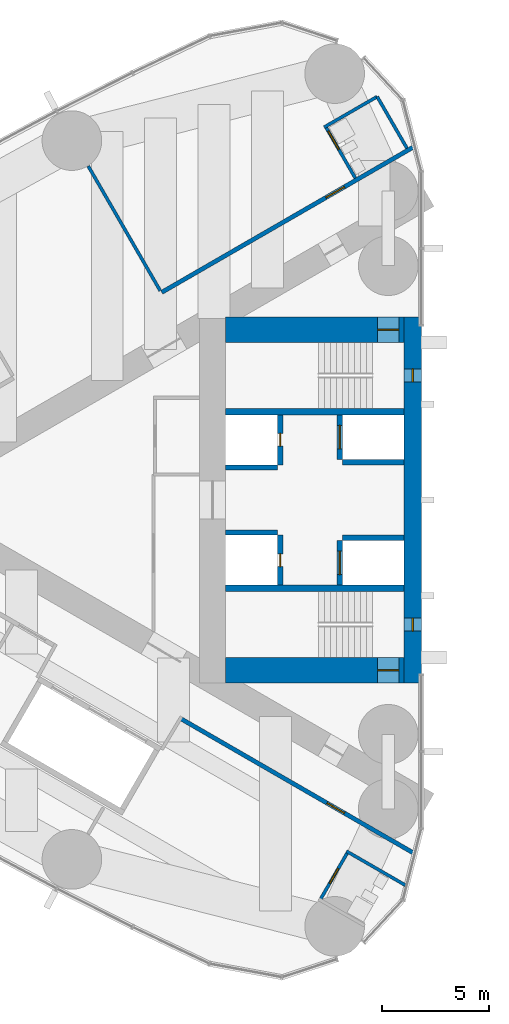
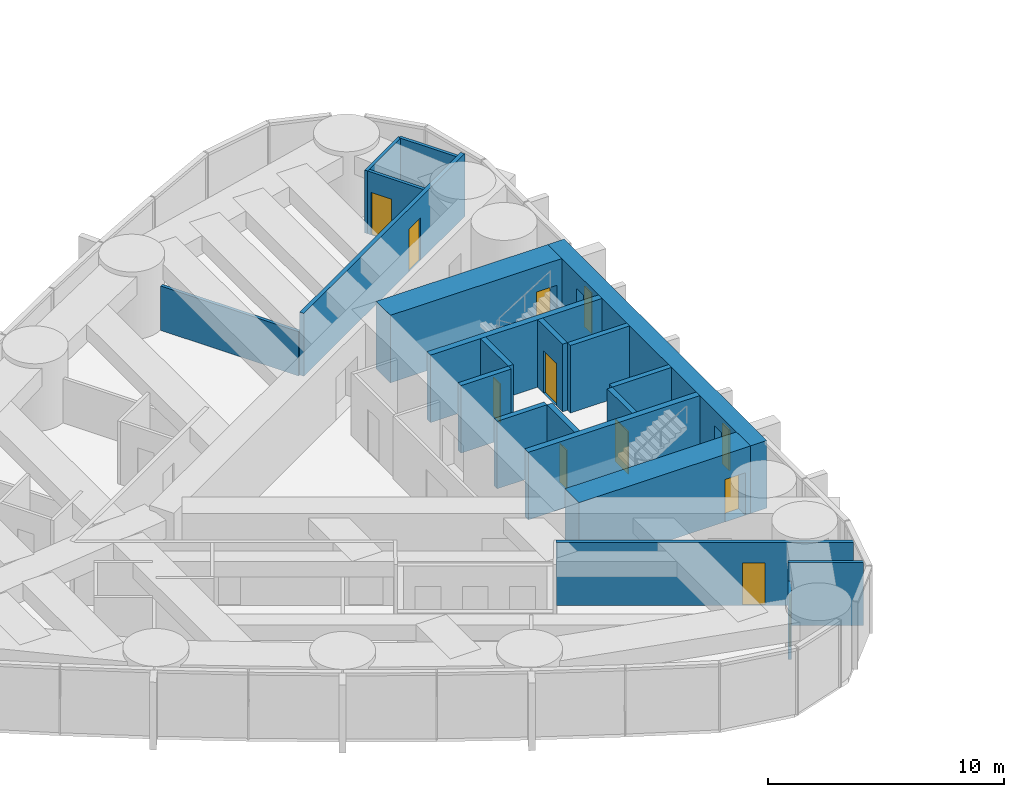
# One storey, part 13 of 19: 21 walls, 10 doors, 2 windows, 12 openings.
"""IFC4 building model written with IfcOpenShell, lengths in metres."""

from ifc_helpers import new_model, si_unit, direction, frame, frame_2d, origin, place, context, subcontext, project, spatial, rectangle, extrude, material, layer, layer_set, type_object, element, fill, save


model = new_model("IFC4")

# Units and contexts
model_context = context("Model", 3, precision=1e-05, world=origin(), true_north=direction((0.0, 1.0)))
body_context = subcontext(model_context, "Body", "Model", "MODEL_VIEW")
ifc_project = project(units=[si_unit("LENGTHUNIT", "METRE"), si_unit("AREAUNIT", "SQUARE_METRE"), si_unit("VOLUMEUNIT", "CUBIC_METRE"), si_unit("PLANEANGLEUNIT", "RADIAN"), si_unit("MASSUNIT", "GRAM", prefix="KILO")], contexts=[model_context])

# Site, building, storey
site_placement = place(None, origin())
site = spatial("IfcSite", under=ifc_project, at=site_placement, CompositionType="ELEMENT")
building_placement = place(site_placement, origin())
building = spatial("IfcBuilding", under=site, at=building_placement, Name="Lancet Gate Hotel", CompositionType="ELEMENT")
storey_placement = place(building_placement, frame((0.0, 0.0, 184.300048828125)))
storey = spatial("IfcBuildingStorey", under=building, at=storey_placement, Name="L49", CompositionType="ELEMENT", Elevation=184.300048828125)

# Wall
ifc_material_1 = material(Name="Moisture resistant board partition")
ifc_layer_1 = layer(ifc_material_1, 0.14990234375)
ifc_layer_set_1 = layer_set([ifc_layer_1], Name="Bathroom wall 150")
wall_type_1 = type_object("IfcWallType", Name="Bathroom wall 150", PredefinedType="PARTITIONING", material=ifc_layer_set_1)
wall_1_placement = place(storey_placement, frame((-29.56982421875, 18.936279296875, 0.0), z_axis=(0.0, 0.0, 1.0), x_axis=(-0.866018712932, -0.500011588718, 0.0)))
element("IfcWall", 1, at=wall_1_placement, inside=storey, type_object=wall_type_1, Name="T1 bathroom wall 150 L49", PredefinedType="PARTITIONING", context=body_context, shape_type="SweptSolid", body=[
    extrude(rectangle(XDim=2.875, YDim=0.14990234375, at=frame_2d((1.4375, 0.0))), origin(), (0.0, 0.0, 1.0), 3.25),
])

# Wall, opening, door
wall_2_placement = place(storey_placement, frame((-30.5947265625, 15.111328125, 0.0), z_axis=(0.0, 0.0, 1.0), x_axis=(-0.49998411664, 0.866034573852, 0.0)))
wall_2 = element("IfcWall", 2, at=wall_2_placement, inside=storey, type_object=wall_type_1, Name="T1 bathroom wall 150 L49", PredefinedType="PARTITIONING", context=body_context, shape_type="SweptSolid", body=[
    extrude(rectangle(XDim=2.7998046875, YDim=0.14990234375, at=frame_2d((1.39990234375, 0.0))), origin(), (0.0, 0.0, 1.0), 3.25),
])
opening_1_placement = place(wall_2_placement, frame((1.550048828125, 0.0, 0.0)))
opening_1 = element("IfcOpeningElement", 3, at=opening_1_placement, cuts=wall_2, Name="Opening 4901-B", PredefinedType="OPENING", context=body_context, shape_type="SweptSolid", body=[
    extrude(rectangle(XDim=1.0, YDim=2.199951171875, at=frame_2d((0.5, 1.10009765625))), frame((0.0, 0.0849609375, 0.0), z_axis=(0.0, -1.0, 0.0), x_axis=(1.0, 0.0, 0.0)), (0.0, 0.0, 1.0), 0.169921875),
])
ifc_material_2 = material(Name="Timber door set", Category="wood")
door_type_1 = type_object("IfcDoorType", Name="Accessible en-suite door 1000", OperationType="SINGLE_SWING_RIGHT", PredefinedType="DOOR", material=ifc_material_2)
door_1_placement = place(opening_1_placement, origin())
door_1 = element("IfcDoor", 4, at=door_1_placement, inside=storey, type_object=door_type_1, Name="4901-B", OperationType="SINGLE_SWING_RIGHT", OverallHeight=2.199951171875, OverallWidth=1.0, PredefinedType="DOOR", context=body_context, shape_type="SweptSolid", body=[
    extrude(rectangle(XDim=1.0, YDim=2.199951171875, at=frame_2d((0.5, 1.10009765625))), frame((0.0, 0.02490234375, 0.0), z_axis=(0.0, -1.0, 0.0), x_axis=(1.0, 0.0, 0.0)), (0.0, 0.0, 1.0), 0.050048828125),
])
fill(opening_1, door_1)

# Wall
wall_3_placement = place(storey_placement, frame((-28.169921875, 16.51123046875, 0.0), z_axis=(0.0, 0.0, 1.0), x_axis=(-0.49994636267, 0.866056369097, 0.0)))
element("IfcWall", 5, at=wall_3_placement, inside=storey, type_object=wall_type_1, Name="T1 bathroom wall 150 L49", PredefinedType="PARTITIONING", context=body_context, shape_type="SweptSolid", body=[
    extrude(rectangle(XDim=2.800048828125, YDim=0.14990234375, at=frame_2d((1.39990234375, 0.0))), origin(), (0.0, 0.0, 1.0), 3.25),
])

# Wall, opening, door
wall_4_placement = place(storey_placement, frame((-30.9482421875, -16.523681640625, 0.0), z_axis=(0.0, 0.0, 1.0), x_axis=(-0.500006934395, -0.866021400173, 0.0)))
wall_4 = element("IfcWall", 6, at=wall_4_placement, inside=storey, type_object=wall_type_1, Name="T1 bathroom wall 150 L49", PredefinedType="PARTITIONING", context=body_context, shape_type="SweptSolid", body=[
    extrude(rectangle(XDim=2.60009765625, YDim=0.14990234375, at=frame_2d((1.300048828125, 0.0))), origin(), (0.0, 0.0, 1.0), 2.300048828125),
])
opening_2_placement = place(wall_4_placement, frame((0.89990234375, 0.0, 0.0)))
opening_2 = element("IfcOpeningElement", 7, at=opening_2_placement, cuts=wall_4, Name="Opening 4908-B", PredefinedType="OPENING", context=body_context, shape_type="SweptSolid", body=[
    extrude(rectangle(XDim=0.800048828125, YDim=2.199951171875, at=frame_2d((0.39990234375, 1.10009765625))), frame((0.0, 0.0849609375, 0.0), z_axis=(0.0, -1.0, 0.0), x_axis=(1.0, 0.0, 0.0)), (0.0, 0.0, 1.0), 0.169921875),
])
ifc_material_3 = material(Name="Timber door set", Category="wood")
door_type_2 = type_object("IfcDoorType", Name="Bathroom door 800", OperationType="SINGLE_SWING_RIGHT", PredefinedType="DOOR", material=ifc_material_3)
door_2_placement = place(opening_2_placement, origin())
door_2 = element("IfcDoor", 8, at=door_2_placement, inside=storey, type_object=door_type_2, Name="4908-B", OperationType="SINGLE_SWING_RIGHT", OverallHeight=2.199951171875, OverallWidth=0.800048828125, PredefinedType="DOOR", context=body_context, shape_type="SweptSolid", body=[
    extrude(rectangle(XDim=0.800048828125, YDim=2.199951171875, at=frame_2d((0.39990234375, 1.10009765625))), frame((0.0, 0.02490234375, 0.0), z_axis=(0.0, -1.0, 0.0), x_axis=(1.0, 0.0, 0.0)), (0.0, 0.0, 1.0), 0.050048828125),
])
fill(opening_2, door_2)

# Wall
wall_5_placement = place(storey_placement, frame((-28.246337890625, -18.083740234375, 0.0), z_axis=(0.0, 0.0, 1.0), x_axis=(-0.866029063467, 0.49999366119, 0.0)))
element("IfcWall", 9, at=wall_5_placement, inside=storey, type_object=wall_type_1, Name="T1 bathroom wall 150 L49", PredefinedType="PARTITIONING", context=body_context, shape_type="SweptSolid", body=[
    extrude(rectangle(XDim=3.19482421875, YDim=0.14990234375, at=frame_2d((1.597412109375, 0.0))), origin(), (0.0, 0.0, 1.0), 3.25),
])

# Wall, opening, door
ifc_material_4 = material(Name="Concrete C70/85", Category="concrete")
ifc_layer_2 = layer(ifc_material_4, 1.199951171875)
ifc_layer_set_2 = layer_set([ifc_layer_2], Name="Core wall 1200")
wall_type_2 = type_object("IfcWallType", Name="Core wall 1200", PredefinedType="SHEAR", material=ifc_layer_set_2)
wall_6_placement = place(storey_placement, frame((-28.300048828125, 8.0, 0.0), z_axis=(0.0, 0.0, 1.0), x_axis=(-1.0, 0.0, 0.0)))
wall_6 = element("IfcWall", 10, at=wall_6_placement, inside=storey, type_object=wall_type_2, Name="T1 core wall side-S L49", PredefinedType="SHEAR", context=body_context, shape_type="SweptSolid", body=[
    extrude(rectangle(XDim=8.39990234375, YDim=1.199951171875, at=frame_2d((4.199951171875, 0.0))), origin(), (0.0, 0.0, 1.0), 3.5),
])
opening_3_placement = place(wall_6_placement, frame((0.25, 0.0, 0.0)))
opening_3 = element("IfcOpeningElement", 11, at=opening_3_placement, cuts=wall_6, Name="Opening T1-L49-ST1", PredefinedType="OPENING", context=body_context, shape_type="SweptSolid", body=[
    extrude(rectangle(XDim=1.0, YDim=2.199951171875, at=frame_2d((0.5, 1.10009765625))), frame((0.0, 0.60986328125, 0.0), z_axis=(0.0, -1.0, 0.0), x_axis=(1.0, 0.0, 0.0)), (0.0, 0.0, 1.0), 1.219970703125),
])
ifc_material_5 = material(Name="Timber door set", Category="wood")
door_type_3 = type_object("IfcDoorType", Name="Stair door 1000", OperationType="SINGLE_SWING_RIGHT", PredefinedType="DOOR", material=ifc_material_5)
door_3_placement = place(opening_3_placement, origin())
door_3 = element("IfcDoor", 12, at=door_3_placement, inside=storey, type_object=door_type_3, Name="T1-L49-ST1", OperationType="SINGLE_SWING_RIGHT", OverallHeight=2.199951171875, OverallWidth=1.0, PredefinedType="DOOR", context=body_context, shape_type="SweptSolid", body=[
    extrude(rectangle(XDim=1.0, YDim=2.199951171875, at=frame_2d((0.5, 1.10009765625))), frame((0.0, 0.02490234375, 0.0), z_axis=(0.0, -1.0, 0.0), x_axis=(1.0, 0.0, 0.0)), (0.0, 0.0, 1.0), 0.050048828125),
])
fill(opening_3, door_3)

wall_7_placement = place(storey_placement, frame((-28.300048828125, -8.0, 0.0), z_axis=(0.0, 0.0, 1.0), x_axis=(-1.0, 0.0, 0.0)))
wall_7 = element("IfcWall", 13, at=wall_7_placement, inside=storey, type_object=wall_type_2, Name="T1 core wall side-N L49", PredefinedType="SHEAR", context=body_context, shape_type="SweptSolid", body=[
    extrude(rectangle(XDim=8.39990234375, YDim=1.199951171875, at=frame_2d((4.199951171875, 0.0))), origin(), (0.0, 0.0, 1.0), 3.5),
])
opening_4_placement = place(wall_7_placement, frame((0.25, 0.0, 0.0)))
opening_4 = element("IfcOpeningElement", 14, at=opening_4_placement, cuts=wall_7, Name="Opening T1-L49-ST2", PredefinedType="OPENING", context=body_context, shape_type="SweptSolid", body=[
    extrude(rectangle(XDim=1.0, YDim=2.199951171875, at=frame_2d((0.5, 1.10009765625))), frame((0.0, 0.60986328125, 0.0), z_axis=(0.0, -1.0, 0.0), x_axis=(1.0, 0.0, 0.0)), (0.0, 0.0, 1.0), 1.219970703125),
])
door_4_placement = place(opening_4_placement, origin())
door_4 = element("IfcDoor", 15, at=door_4_placement, inside=storey, type_object=door_type_3, Name="T1-L49-ST2", OperationType="SINGLE_SWING_RIGHT", OverallHeight=2.199951171875, OverallWidth=1.0, PredefinedType="DOOR", context=body_context, shape_type="SweptSolid", body=[
    extrude(rectangle(XDim=1.0, YDim=2.199951171875, at=frame_2d((0.5, 1.10009765625))), frame((0.0, 0.02490234375, 0.0), z_axis=(0.0, -1.0, 0.0), x_axis=(1.0, 0.0, 0.0)), (0.0, 0.0, 1.0), 0.050048828125),
])
fill(opening_4, door_4)

# Wall, openings, windows
ifc_material_6 = material(Name="Concrete C70/85", Category="concrete")
ifc_layer_3 = layer(ifc_material_6, 0.800048828125)
ifc_layer_set_3 = layer_set([ifc_layer_3], Name="Core wall 800")
wall_type_3 = type_object("IfcWallType", Name="Core wall 800", PredefinedType="SHEAR", material=ifc_layer_set_3)
wall_8_placement = place(storey_placement, frame((-27.89990234375, 8.60009765625, 0.0), z_axis=(0.0, 0.0, 1.0), x_axis=(0.0, -1.0, 0.0)))
wall_8 = element("IfcWall", 16, at=wall_8_placement, inside=storey, type_object=wall_type_3, Name="T1 core wall front L49", PredefinedType="SHEAR", context=body_context, shape_type="SweptSolid", body=[
    extrude(rectangle(XDim=17.2001953125, YDim=0.800048828125, at=frame_2d((8.60009765625, 0.0))), origin(), (0.0, 0.0, 1.0), 3.5),
])
opening_5_placement = place(wall_8_placement, frame((2.449951171875, 0.0, 0.60009765625)))
opening_5 = element("IfcOpeningElement", 17, at=opening_5_placement, cuts=wall_8, Name="Opening LW1", PredefinedType="OPENING", context=body_context, shape_type="SweptSolid", body=[
    extrude(rectangle(XDim=0.60009765625, YDim=2.10009765625, at=frame_2d((0.300048828125, 1.050048828125))), frame((0.0, 0.409912109375, 0.0), z_axis=(0.0, -1.0, 0.0), x_axis=(1.0, 0.0, 0.0)), (0.0, 0.0, 1.0), 0.820068359375),
])
opening_6_placement = place(wall_8_placement, frame((14.14990234375, 0.0, 0.60009765625)))
opening_6 = element("IfcOpeningElement", 18, at=opening_6_placement, cuts=wall_8, Name="Opening LW1", PredefinedType="OPENING", context=body_context, shape_type="SweptSolid", body=[
    extrude(rectangle(XDim=0.60009765625, YDim=2.10009765625, at=frame_2d((0.300048828125, 1.050048828125))), frame((0.0, 0.409912109375, 0.0), z_axis=(0.0, -1.0, 0.0), x_axis=(1.0, 0.0, 0.0)), (0.0, 0.0, 1.0), 0.820068359375),
])
ifc_material_7 = material(Name="Fire-resisting glazed steel window", Category="steel")
window_type = type_object("IfcWindowType", Name="Lancet window 600x2100", PartitioningType="SINGLE_PANEL", PredefinedType="WINDOW", material=ifc_material_7)
window_1_placement = place(opening_5_placement, origin())
window_1 = element("IfcWindow", 19, at=window_1_placement, inside=storey, type_object=window_type, Name="T1 stair window S L49", OverallHeight=2.10009765625, OverallWidth=0.60009765625, PartitioningType="SINGLE_PANEL", PredefinedType="WINDOW", context=body_context, shape_type="SweptSolid", body=[
    extrude(rectangle(XDim=0.60009765625, YDim=2.10009765625, at=frame_2d((0.300048828125, 1.050048828125))), frame((0.0, 0.030029296875, 0.0), z_axis=(0.0, -1.0, 0.0), x_axis=(1.0, 0.0, 0.0)), (0.0, 0.0, 1.0), 0.06005859375),
])
fill(opening_5, window_1)
window_2_placement = place(opening_6_placement, origin())
window_2 = element("IfcWindow", 20, at=window_2_placement, inside=storey, type_object=window_type, Name="T1 stair window N L49", OverallHeight=2.10009765625, OverallWidth=0.60009765625, PartitioningType="SINGLE_PANEL", PredefinedType="WINDOW", context=body_context, shape_type="SweptSolid", body=[
    extrude(rectangle(XDim=0.60009765625, YDim=2.10009765625, at=frame_2d((0.300048828125, 1.050048828125))), frame((0.0, 0.030029296875, 0.0), z_axis=(0.0, -1.0, 0.0), x_axis=(1.0, 0.0, 0.0)), (0.0, 0.0, 1.0), 0.06005859375),
])
fill(opening_6, window_2)

# Wall, opening, door
ifc_material_8 = material(Name="Gypsum board partition")
ifc_layer_4 = layer(ifc_material_8, 0.199951171875)
ifc_layer_set_4 = layer_set([ifc_layer_4], Name="Corridor wall 200")
wall_type_4 = type_object("IfcWallType", Name="Corridor wall 200", PredefinedType="PARTITIONING", material=ifc_layer_set_4)
wall_9_placement = place(storey_placement, frame((-27.860107421875, -16.57470703125, 0.0), z_axis=(0.0, 0.0, 1.0), x_axis=(-0.866027756871, 0.499995924312, 0.0)))
wall_9 = element("IfcWall", 21, at=wall_9_placement, inside=storey, type_object=wall_type_4, Name="T1 corridor wall 200 L49", PredefinedType="PARTITIONING", context=body_context, shape_type="SweptSolid", body=[
    extrude(rectangle(XDim=12.6220703125, YDim=0.199951171875, at=frame_2d((6.31103515625, 0.0))), origin(), (0.0, 0.0, 1.0), 3.25),
])
opening_7_placement = place(wall_9_placement, frame((3.75, 0.0, 0.0)))
opening_7 = element("IfcOpeningElement", 22, at=opening_7_placement, cuts=wall_9, Name="Opening 4908-E", PredefinedType="OPENING", context=body_context, shape_type="SweptSolid", body=[
    extrude(rectangle(XDim=0.949951171875, YDim=2.199951171875, at=frame_2d((0.47509765625, 1.10009765625))), frame((0.0, 0.10986328125, 0.0), z_axis=(0.0, -1.0, 0.0), x_axis=(1.0, 0.0, 0.0)), (0.0, 0.0, 1.0), 0.219970703125),
])
ifc_material_9 = material(Name="Timber door set", Category="wood")
door_type_4 = type_object("IfcDoorType", Name="Guest room entry door 950", OperationType="SINGLE_SWING_LEFT", PredefinedType="DOOR", material=ifc_material_9)
door_5_placement = place(opening_7_placement, origin())
door_5 = element("IfcDoor", 23, at=door_5_placement, inside=storey, type_object=door_type_4, Name="4908-E", OperationType="SINGLE_SWING_LEFT", OverallHeight=2.199951171875, OverallWidth=0.949951171875, PredefinedType="DOOR", context=body_context, shape_type="SweptSolid", body=[
    extrude(rectangle(XDim=0.949951171875, YDim=2.199951171875, at=frame_2d((0.47509765625, 1.10009765625))), frame((0.0, 0.02490234375, 0.0), z_axis=(0.0, -1.0, 0.0), x_axis=(1.0, 0.0, 0.0)), (0.0, 0.0, 1.0), 0.050048828125),
])
fill(opening_7, door_5)

wall_10_placement = place(storey_placement, frame((-27.860107421875, 16.57470703125, 0.0), z_axis=(0.0, 0.0, 1.0), x_axis=(-0.866026850238, -0.499997494661, 0.0)))
wall_10 = element("IfcWall", 24, at=wall_10_placement, inside=storey, type_object=wall_type_4, Name="T1 corridor wall 200 L49", PredefinedType="PARTITIONING", context=body_context, shape_type="SweptSolid", body=[
    extrude(rectangle(XDim=13.6513671875, YDim=0.199951171875, at=frame_2d((6.82568359375, 0.0))), origin(), (0.0, 0.0, 1.0), 3.25),
])
opening_8_placement = place(wall_10_placement, frame((3.75, 0.0, 0.0)))
opening_8 = element("IfcOpeningElement", 25, at=opening_8_placement, cuts=wall_10, Name="Opening 4901-E", PredefinedType="OPENING", context=body_context, shape_type="SweptSolid", body=[
    extrude(rectangle(XDim=1.0, YDim=2.199951171875, at=frame_2d((0.5, 1.10009765625))), frame((0.0, 0.10986328125, 0.0), z_axis=(0.0, -1.0, 0.0), x_axis=(1.0, 0.0, 0.0)), (0.0, 0.0, 1.0), 0.219970703125),
])
ifc_material_10 = material(Name="Timber door set", Category="wood")
door_type_5 = type_object("IfcDoorType", Name="Accessible guest room door 1000", OperationType="SINGLE_SWING_LEFT", PredefinedType="DOOR", material=ifc_material_10)
door_6_placement = place(opening_8_placement, origin())
door_6 = element("IfcDoor", 26, at=door_6_placement, inside=storey, type_object=door_type_5, Name="4901-E", OperationType="SINGLE_SWING_LEFT", OverallHeight=2.199951171875, OverallWidth=1.0, PredefinedType="DOOR", context=body_context, shape_type="SweptSolid", body=[
    extrude(rectangle(XDim=1.0, YDim=2.199951171875, at=frame_2d((0.5, 1.10009765625))), frame((0.0, 0.02490234375, 0.0), z_axis=(0.0, -1.0, 0.0), x_axis=(1.0, 0.0, 0.0)), (0.0, 0.0, 1.0), 0.050048828125),
])
fill(opening_8, door_6)

ifc_material_11 = material(Name="Concrete C50/60", Category="concrete")
ifc_layer_5 = layer(ifc_material_11, 0.25)
ifc_layer_set_5 = layer_set([ifc_layer_5], Name="Lift shaft wall 250")
wall_type_5 = type_object("IfcWallType", Name="Lift shaft wall 250", PredefinedType="SHEAR", material=ifc_layer_set_5)
wall_11_placement = place(storey_placement, frame((-31.324951171875, 4.0, 0.0), z_axis=(0.0, 0.0, 1.0), x_axis=(0.0, -1.0, 0.0)))
wall_11 = element("IfcWall", 27, at=wall_11_placement, inside=storey, type_object=wall_type_5, Name="T1 core wall row1-S L49", PredefinedType="SHEAR", context=body_context, shape_type="SweptSolid", body=[
    extrude(rectangle(XDim=2.10009765625, YDim=0.25, at=frame_2d((1.050048828125, 0.0))), origin(), (0.0, 0.0, 1.0), 3.5),
])
opening_9_placement = place(wall_11_placement, frame((0.5, 0.0, 0.0)))
opening_9 = element("IfcOpeningElement", 28, at=opening_9_placement, cuts=wall_11, Name="Opening T1-SL1-L49", PredefinedType="OPENING", context=body_context, shape_type="SweptSolid", body=[
    extrude(rectangle(XDim=1.10009765625, YDim=2.199951171875, at=frame_2d((0.550048828125, 1.10009765625))), frame((0.0, 0.135009765625, 0.0), z_axis=(0.0, -1.0, 0.0), x_axis=(1.0, 0.0, 0.0)), (0.0, 0.0, 1.0), 0.27001953125),
])
ifc_material_12 = material(Name="Timber door set", Category="wood")
door_type_6 = type_object("IfcDoorType", Name="Service lift landing door 1100", OperationType="SLIDING_TO_LEFT", PredefinedType="USERDEFINED", material=ifc_material_12)
door_7_placement = place(opening_9_placement, origin())
door_7 = element("IfcDoor", 29, at=door_7_placement, inside=storey, type_object=door_type_6, Name="T1-SL1-L49", ObjectType="LIFT LANDING DOOR", OperationType="SLIDING_TO_LEFT", OverallHeight=2.199951171875, OverallWidth=1.10009765625, PredefinedType="USERDEFINED", context=body_context, shape_type="SweptSolid", body=[
    extrude(rectangle(XDim=1.10009765625, YDim=2.199951171875, at=frame_2d((0.550048828125, 1.10009765625))), frame((0.0, 0.02490234375, 0.0), z_axis=(0.0, -1.0, 0.0), x_axis=(1.0, 0.0, 0.0)), (0.0, 0.0, 1.0), 0.050048828125),
])
fill(opening_9, door_7)

wall_12_placement = place(storey_placement, frame((-34.125, 4.0, 0.0), z_axis=(0.0, 0.0, 1.0), x_axis=(0.0, -1.0, 0.0)))
wall_12 = element("IfcWall", 30, at=wall_12_placement, inside=storey, type_object=wall_type_5, Name="T1 core wall row2-S L49", PredefinedType="SHEAR", context=body_context, shape_type="SweptSolid", body=[
    extrude(rectangle(XDim=2.35009765625, YDim=0.25, at=frame_2d((1.175048828125, 0.0))), origin(), (0.0, 0.0, 1.0), 3.5),
])
opening_10_placement = place(wall_12_placement, frame((0.875, 0.0, 0.0)))
opening_10 = element("IfcOpeningElement", 31, at=opening_10_placement, cuts=wall_12, Name="Opening T1-OL3-L49-E", PredefinedType="OPENING", context=body_context, shape_type="SweptSolid", body=[
    extrude(rectangle(XDim=0.60009765625, YDim=2.0, at=frame_2d((0.300048828125, 1.0))), frame((0.0, 0.135009765625, 0.0), z_axis=(0.0, -1.0, 0.0), x_axis=(1.0, 0.0, 0.0)), (0.0, 0.0, 1.0), 0.27001953125),
])
ifc_material_13 = material(Name="Steel door set", Category="steel")
door_type_7 = type_object("IfcDoorType", Name="Lift shaft emergency door 600x2000", OperationType="SLIDING_TO_LEFT", PredefinedType="DOOR", material=ifc_material_13)
door_8_placement = place(opening_10_placement, origin())
door_8 = element("IfcDoor", 32, at=door_8_placement, inside=storey, type_object=door_type_7, Name="T1-OL3-L49-E", OperationType="SLIDING_TO_LEFT", OverallHeight=2.0, OverallWidth=0.60009765625, PredefinedType="DOOR", context=body_context, shape_type="SweptSolid", body=[
    extrude(rectangle(XDim=0.60009765625, YDim=2.0, at=frame_2d((0.300048828125, 1.0))), frame((0.0, 0.02490234375, 0.0), z_axis=(0.0, -1.0, 0.0), x_axis=(1.0, 0.0, 0.0)), (0.0, 0.0, 1.0), 0.050048828125),
])
fill(opening_10, door_8)

# Walls
wall_13_placement = place(storey_placement, frame((-28.300048828125, 1.77490234375, 0.0), z_axis=(0.0, 0.0, 1.0), x_axis=(-1.0, 0.0, 0.0)))
element("IfcWall", 33, at=wall_13_placement, inside=storey, type_object=wall_type_5, Name="T1 core wall pass1-S L49", PredefinedType="SHEAR", context=body_context, shape_type="SweptSolid", body=[
    extrude(rectangle(XDim=2.89990234375, YDim=0.25, at=frame_2d((1.449951171875, 0.0))), origin(), (0.0, 0.0, 1.0), 3.5),
])
wall_14_placement = place(storey_placement, frame((-34.25, 1.52490234375, 0.0), z_axis=(0.0, 0.0, 1.0), x_axis=(-1.0, 0.0, 0.0)))
element("IfcWall", 34, at=wall_14_placement, inside=storey, type_object=wall_type_5, Name="T1 core wall pass2-S L49", PredefinedType="SHEAR", context=body_context, shape_type="SweptSolid", body=[
    extrude(rectangle(XDim=2.449951171875, YDim=0.25, at=frame_2d((1.22509765625, 0.0))), origin(), (0.0, 0.0, 1.0), 3.5),
])

# Wall, opening, door
wall_15_placement = place(storey_placement, frame((-31.324951171875, -1.89990234375, 0.0), z_axis=(0.0, 0.0, 1.0), x_axis=(0.0, -1.0, 0.0)))
wall_15 = element("IfcWall", 35, at=wall_15_placement, inside=storey, type_object=wall_type_5, Name="T1 core wall row1-N L49", PredefinedType="SHEAR", context=body_context, shape_type="SweptSolid", body=[
    extrude(rectangle(XDim=2.10009765625, YDim=0.25, at=frame_2d((1.050048828125, 0.0))), origin(), (0.0, 0.0, 1.0), 3.5),
])
opening_11_placement = place(wall_15_placement, frame((0.5, 0.0, 0.0)))
opening_11 = element("IfcOpeningElement", 36, at=opening_11_placement, cuts=wall_15, Name="Opening T1-FL2-L49", PredefinedType="OPENING", context=body_context, shape_type="SweptSolid", body=[
    extrude(rectangle(XDim=1.10009765625, YDim=2.199951171875, at=frame_2d((0.550048828125, 1.10009765625))), frame((0.0, 0.135009765625, 0.0), z_axis=(0.0, -1.0, 0.0), x_axis=(1.0, 0.0, 0.0)), (0.0, 0.0, 1.0), 0.27001953125),
])
ifc_material_14 = material(Name="Steel door set", Category="steel")
door_type_8 = type_object("IfcDoorType", Name="Firefighting lift landing door 1100", OperationType="SLIDING_TO_LEFT", PredefinedType="USERDEFINED", material=ifc_material_14)
door_9_placement = place(opening_11_placement, origin())
door_9 = element("IfcDoor", 37, at=door_9_placement, inside=storey, type_object=door_type_8, Name="T1-FL2-L49", ObjectType="LIFT LANDING DOOR", OperationType="SLIDING_TO_LEFT", OverallHeight=2.199951171875, OverallWidth=1.10009765625, PredefinedType="USERDEFINED", context=body_context, shape_type="SweptSolid", body=[
    extrude(rectangle(XDim=1.10009765625, YDim=2.199951171875, at=frame_2d((0.550048828125, 1.10009765625))), frame((0.0, 0.02490234375, 0.0), z_axis=(0.0, -1.0, 0.0), x_axis=(1.0, 0.0, 0.0)), (0.0, 0.0, 1.0), 0.050048828125),
])
fill(opening_11, door_9)

wall_16_placement = place(storey_placement, frame((-34.125, -1.64990234375, 0.0), z_axis=(0.0, 0.0, 1.0), x_axis=(0.0, -1.0, 0.0)))
wall_16 = element("IfcWall", 38, at=wall_16_placement, inside=storey, type_object=wall_type_5, Name="T1 core wall row2-N L49", PredefinedType="SHEAR", context=body_context, shape_type="SweptSolid", body=[
    extrude(rectangle(XDim=2.35009765625, YDim=0.25, at=frame_2d((1.175048828125, 0.0))), origin(), (0.0, 0.0, 1.0), 3.5),
])
opening_12_placement = place(wall_16_placement, frame((0.875, 0.0, 0.0)))
opening_12 = element("IfcOpeningElement", 39, at=opening_12_placement, cuts=wall_16, Name="Opening T1-OL4-L49-E", PredefinedType="OPENING", context=body_context, shape_type="SweptSolid", body=[
    extrude(rectangle(XDim=0.60009765625, YDim=2.0, at=frame_2d((0.300048828125, 1.0))), frame((0.0, 0.135009765625, 0.0), z_axis=(0.0, -1.0, 0.0), x_axis=(1.0, 0.0, 0.0)), (0.0, 0.0, 1.0), 0.27001953125),
])
door_10_placement = place(opening_12_placement, origin())
door_10 = element("IfcDoor", 40, at=door_10_placement, inside=storey, type_object=door_type_7, Name="T1-OL4-L49-E", OperationType="SLIDING_TO_LEFT", OverallHeight=2.0, OverallWidth=0.60009765625, PredefinedType="DOOR", context=body_context, shape_type="SweptSolid", body=[
    extrude(rectangle(XDim=0.60009765625, YDim=2.0, at=frame_2d((0.300048828125, 1.0))), frame((0.0, 0.02490234375, 0.0), z_axis=(0.0, -1.0, 0.0), x_axis=(1.0, 0.0, 0.0)), (0.0, 0.0, 1.0), 0.050048828125),
])
fill(opening_12, door_10)

# Walls
wall_17_placement = place(storey_placement, frame((-28.300048828125, -1.77490234375, 0.0), z_axis=(0.0, 0.0, 1.0), x_axis=(-1.0, 0.0, 0.0)))
element("IfcWall", 41, at=wall_17_placement, inside=storey, type_object=wall_type_5, Name="T1 core wall pass1-N L49", PredefinedType="SHEAR", context=body_context, shape_type="SweptSolid", body=[
    extrude(rectangle(XDim=2.89990234375, YDim=0.25, at=frame_2d((1.449951171875, 0.0))), origin(), (0.0, 0.0, 1.0), 3.5),
])
wall_18_placement = place(storey_placement, frame((-34.25, -1.52490234375, 0.0), z_axis=(0.0, 0.0, 1.0), x_axis=(-1.0, 0.0, 0.0)))
element("IfcWall", 42, at=wall_18_placement, inside=storey, type_object=wall_type_5, Name="T1 core wall pass2-N L49", PredefinedType="SHEAR", context=body_context, shape_type="SweptSolid", body=[
    extrude(rectangle(XDim=2.449951171875, YDim=0.25, at=frame_2d((1.22509765625, 0.0))), origin(), (0.0, 0.0, 1.0), 3.5),
])
ifc_material_15 = material(Name="Gypsum board partition")
ifc_layer_6 = layer(ifc_material_15, 0.14990234375)
ifc_layer_set_6 = layer_set([ifc_layer_6], Name="Party wall 150")
wall_type_6 = type_object("IfcWallType", Name="Party wall 150", PredefinedType="PARTITIONING", material=ifc_layer_set_6)
wall_19_placement = place(storey_placement, frame((-39.75439453125, 9.822998046875, 0.0), z_axis=(0.0, 0.0, 1.0), x_axis=(-0.499997670926, 0.866026748472, 0.0)))
element("IfcWall", 43, at=wall_19_placement, inside=storey, type_object=wall_type_6, Name="T1 party wall 150 L49", PredefinedType="PARTITIONING", context=body_context, shape_type="SweptSolid", body=[
    extrude(rectangle(XDim=6.75732421875, YDim=0.14990234375, at=frame_2d((3.378662109375, 0.0))), origin(), (0.0, 0.0, 1.0), 2.300048828125),
])
ifc_material_16 = material(Name="Concrete C50/60", Category="concrete")
ifc_layer_7 = layer(ifc_material_16, 0.300048828125)
ifc_layer_set_7 = layer_set([ifc_layer_7], Name="Stair enclosure wall 300")
wall_type_7 = type_object("IfcWallType", Name="Stair enclosure wall 300", PredefinedType="SHEAR", material=ifc_layer_set_7)
for number, where, z_axis, x_axis, name in (
    (44, (-28.300048828125, 4.14990234375, 0.0), (0.0, 0.0, 1.0), (-1.0, 0.0, 0.0), "T1 core wall stair-S L49"),
    (45, (-28.300048828125, -4.14990234375, 0.0), (0.0, 0.0, 1.0), (-1.0, 0.0, 0.0), "T1 core wall stair-N L49"),
):
    element("IfcWall", number, at=place(storey_placement, frame(where, z_axis=z_axis, x_axis=x_axis)), inside=storey, type_object=wall_type_7, Name=name, PredefinedType="SHEAR", context=body_context, shape_type="SweptSolid", body=[
        extrude(rectangle(XDim=8.39990234375, YDim=0.300048828125, at=frame_2d((4.199951171875, 0.0))), origin(), (0.0, 0.0, 1.0), 3.5),
    ])

save(model, "model.ifc")
